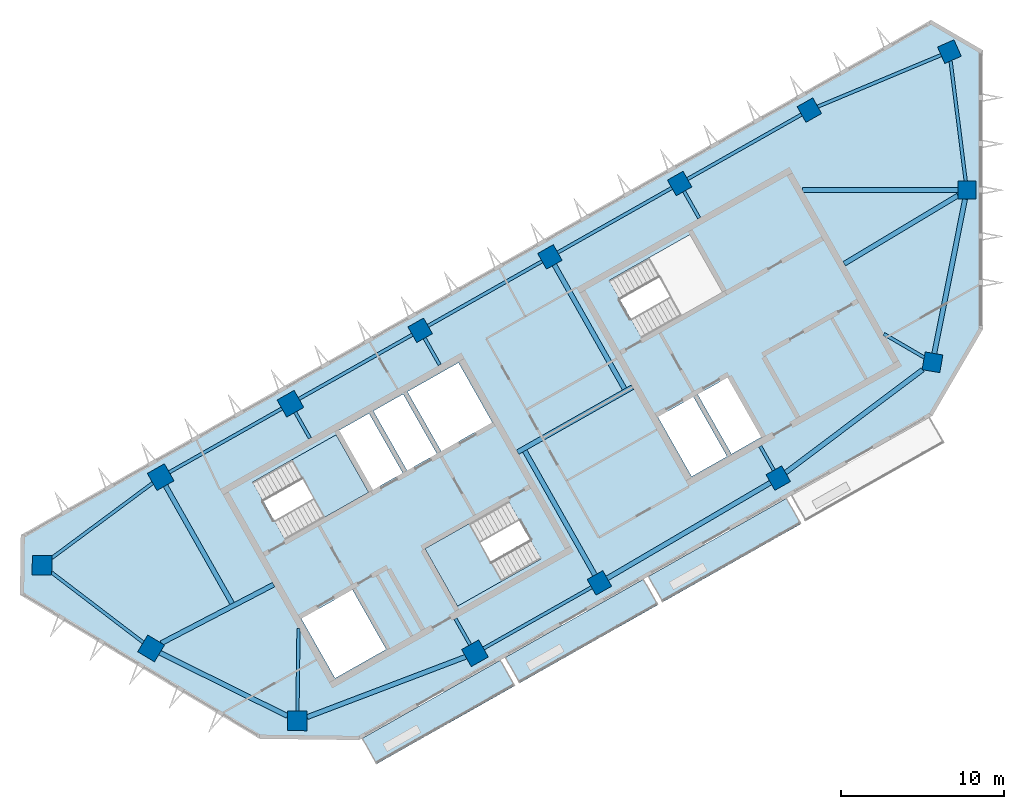
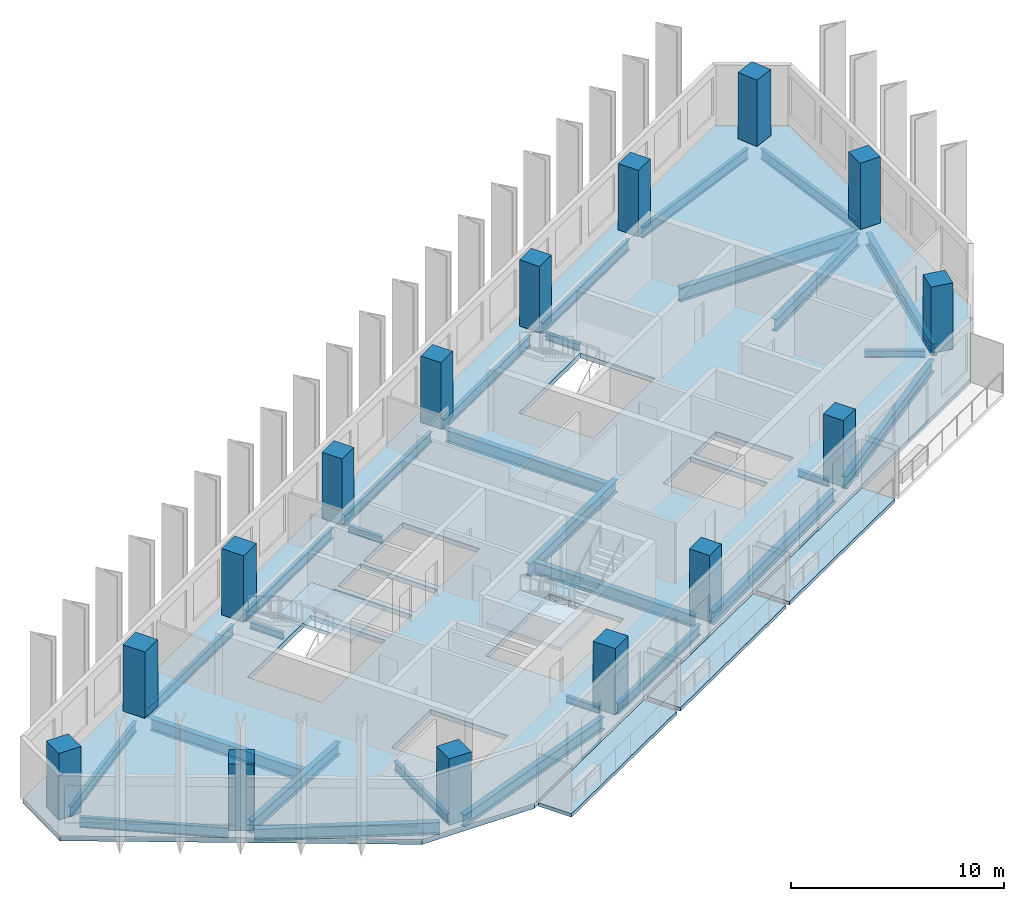
# One storey, part 1 of 8: 29 beams, 15 columns, 6 slabs, 2 elements without a shape of their own.
"""IFC4 building model written with IfcOpenShell, lengths in metres."""

from ifc_helpers import new_model, si_unit, direction, frame, origin, origin_2d, place, context, subcontext, project, spatial, polyline, rectangle, i_section, outline, extrude, material, layer, layer_set, material_profile, profile_set, type_object, element, aggregate, save


model = new_model("IFC4")

# Units and contexts
model_context = context("Model", 3, precision=1e-05, world=origin(), true_north=direction((0.0, 1.0)))
body_context = subcontext(model_context, "Body", "Model", "MODEL_VIEW")
ifc_project = project(units=[si_unit("LENGTHUNIT", "METRE"), si_unit("AREAUNIT", "SQUARE_METRE"), si_unit("VOLUMEUNIT", "CUBIC_METRE"), si_unit("PLANEANGLEUNIT", "RADIAN"), si_unit("MASSUNIT", "GRAM", prefix="KILO")], contexts=[model_context])

# Site, building, storey
site_placement = place(None, origin())
site = spatial("IfcSite", under=ifc_project, at=site_placement, CompositionType="ELEMENT")
building_placement = place(site_placement, origin())
building = spatial("IfcBuilding", under=site, at=building_placement, Name="Binnacle Exchange Tower", CompositionType="ELEMENT")
storey_placement = place(building_placement, frame((0.0, 0.0, 277.89990234375)))
storey = spatial("IfcBuildingStorey", under=building, at=storey_placement, Name="L62", CompositionType="ELEMENT", Elevation=277.89990234375)

# Columns
ifc_material_1 = material(Name="Concrete C60/75", Category="concrete")
ifc_material_profile_1 = material_profile(ifc_material_1, rectangle(XDim=1.10009765625, YDim=1.10009765625, at=origin_2d()), Name="Mega column 1100x1100 C60/75")
ifc_profile_set_1 = profile_set([ifc_material_profile_1], Name="Concrete C60/75")
column_type_1 = type_object("IfcColumnType", Name="Mega column 1100x1100 C60/75", PredefinedType="COLUMN", material=ifc_profile_set_1)
for number, where, z_axis, x_axis, name in (
    (1, (-10.4951171875, 64.901611328125, 0.0), (0.0, 0.0, 1.0), (-0.87035569594, -0.492423560103, 0.0), "S:COL:MC38:L62"),
    (2, (-18.44140625, 60.406005859375, 0.0), (0.0, 0.0, 1.0), (-0.87035569594, -0.492423560103, 0.0), "S:COL:MC29:L62"),
    (3, (-26.3876953125, 55.91015625, 0.0), (0.0, 0.0, 1.0), (-0.87035569594, -0.492423560103, 0.0), "S:COL:MC21:L62"),
    (4, (-34.333740234375, 51.414306640625, 0.0), (0.0, 0.0, 1.0), (-0.87035569594, -0.492423560103, 0.0), "S:COL:MC13:L62"),
    (5, (-23.35595703125, 35.9462890625, 0.0), (0.0, 0.0, 1.0), (0.87035569594, 0.492423560103, 0.0), "S:COL:MC16:L62"),
    (6, (-2.955322265625, 49.45556640625, 0.0), (0.0, 0.0, 1.0), (-0.98522612636, 0.171258517854, 0.0), "S:COL:MC43:L62"),
    (7, (-0.85009765625, 60.0, 0.0), (0.0, 0.0, 1.0), (0.0, 1.0, 0.0), "S:COL:MC45:L62"),
    (8, (-1.920166015625, 68.4833984375, 0.0), (0.0, 0.0, 1.0), (-0.91471298536, -0.40410413808, 0.0), "S:COL:MC44:L62"),
    (9, (-12.39990234375, 42.36328125, 0.0), (0.0, 0.0, 1.0), (0.87035569594, 0.492423560103, 0.0), "S:COL:MC30:L62"),
):
    element("IfcColumn", number, at=place(storey_placement, frame(where, z_axis=z_axis, x_axis=x_axis)), inside=storey, type_object=column_type_1, Name=name, PredefinedType="COLUMN", context=body_context, shape_type="SweptSolid", body=[
        extrude(rectangle(XDim=1.10009765625, YDim=1.10009765625, at=origin_2d()), origin(), (0.0, 0.0, 1.0), 3.800048828125),
    ])
ifc_material_profile_2 = material_profile(ifc_material_1, rectangle(XDim=1.199951171875, YDim=1.199951171875, at=origin_2d()), Name="Mega column 1200x1200 C60/75")
ifc_profile_set_2 = profile_set([ifc_material_profile_2], Name="Concrete C60/75")
column_type_2 = type_object("IfcColumnType", Name="Mega column 1200x1200 C60/75", PredefinedType="COLUMN", material=ifc_profile_set_2)
for number, where, z_axis, x_axis, name in (
    (10, (-42.280029296875, 46.918701171875, 0.0), (0.0, 0.0, 1.0), (-0.87035569594, -0.492423560103, 0.0), "S:COL:MC08:L62"),
    (11, (-50.226318359375, 42.4228515625, 0.0), (0.0, 0.0, 1.0), (-0.87035569594, -0.492423560103, 0.0), "S:COL:MC04:L62"),
    (12, (-57.492919921875, 37.02734375, 0.0), (0.0, 0.0, 1.0), (-0.013089595571, -0.999914327574, 0.0), "S:COL:MC02:L62"),
    (13, (-50.81201171875, 31.930908203125, 0.0), (0.0, 0.0, 1.0), (0.857167300702, -0.51503807491, 0.0), "S:COL:MC01:L62"),
    (14, (-41.857666015625, 27.494873046875, 0.0), (0.0, 0.0, 1.0), (0.999914327574, -0.013089595571, 0.0), "S:COL:MC03:L62"),
    (15, (-30.9755859375, 31.63525390625, 0.0), (0.0, 0.0, 1.0), (0.87035569594, 0.492423560103, 0.0), "S:COL:MC07:L62"),
):
    element("IfcColumn", number, at=place(storey_placement, frame(where, z_axis=z_axis, x_axis=x_axis)), inside=storey, type_object=column_type_2, Name=name, PredefinedType="COLUMN", context=body_context, shape_type="SweptSolid", body=[
        extrude(rectangle(XDim=1.199951171875, YDim=1.199951171875, at=origin_2d()), origin(), (0.0, 0.0, 1.0), 3.800048828125),
    ])

# Beams
ifc_material_2 = material(Name="Steel S355 (SHN355)", Category="steel")
ifc_material_profile_3 = material_profile(ifc_material_2, i_section(OverallWidth=0.199951171875, OverallDepth=0.60009765625, WebThickness=0.010986328125, FlangeThickness=0.01708984375, FilletRadius=0.02197265625, at=origin_2d()), Name="H 600x200x11x17")
ifc_profile_set_3 = profile_set([ifc_material_profile_3], Name="Steel S355 (SHN355)")
beam_type_1 = type_object("IfcBeamType", Name="Edge girder H 600x200x11x17 Steel S355 (SHN355)", PredefinedType="SPANDREL", material=ifc_profile_set_3)
beam_1_placement = place(storey_placement, frame((-56.89892578125, 36.57421875, -0.579833984375), z_axis=(0.795079526259, -0.606505191176, 0.0), x_axis=(0.606505191176, 0.795079526259, 0.0)))
element("IfcBeam", 16, at=beam_1_placement, inside=storey, type_object=beam_type_1, Name="S:BM:edge:L62:004", PredefinedType="SPANDREL", context=body_context, shape_type="SweptSolid", body=[
    extrude(i_section(OverallWidth=0.199951171875, OverallDepth=0.60009765625, WebThickness=0.010986328125, FlangeThickness=0.01708984375, FilletRadius=0.02197265625, at=origin_2d()), origin(), (0.0, 0.0, 1.0), 7.052001953125),
])
ifc_material_profile_4 = material_profile(ifc_material_2, i_section(OverallWidth=0.200927734375, OverallDepth=0.60595703125, WebThickness=0.011962890625, FlangeThickness=0.02001953125, FilletRadius=0.02197265625, at=origin_2d()), Name="H 606x201x12x20")
ifc_profile_set_4 = profile_set([ifc_material_profile_4], Name="Steel S355 (SHN355)")
beam_type_2 = type_object("IfcBeamType", Name="Edge girder H 606x201x12x20 Steel S355 (SHN355)", PredefinedType="SPANDREL", material=ifc_profile_set_4)
beam_2_placement = place(storey_placement, frame((-50.711669921875, 42.0625, -0.5830078125), z_axis=(-0.802889255085, -0.596128211099, 0.0), x_axis=(0.596128211099, -0.802889255085, 0.0)))
element("IfcBeam", 17, at=beam_2_placement, inside=storey, type_object=beam_type_2, Name="S:BM:edge:L62:005", PredefinedType="SPANDREL", context=body_context, shape_type="SweptSolid", body=[
    extrude(i_section(OverallWidth=0.200927734375, OverallDepth=0.60595703125, WebThickness=0.011962890625, FlangeThickness=0.02001953125, FilletRadius=0.02197265625, at=origin_2d()), origin(), (0.0, 0.0, 1.0), 7.691650390625),
])
beam_3_placement = place(storey_placement, frame((-30.453369140625, 31.930908203125, -0.5830078125), z_axis=(0.870370831478, 0.49239680717, 0.0), x_axis=(-0.49239680717, 0.870370831478, 0.0)))
element("IfcBeam", 18, at=beam_3_placement, inside=storey, type_object=beam_type_2, Name="S:BM:edge:L62:010", PredefinedType="SPANDREL", context=body_context, shape_type="SweptSolid", body=[
    extrude(i_section(OverallWidth=0.200927734375, OverallDepth=0.60595703125, WebThickness=0.011962890625, FlangeThickness=0.02001953125, FilletRadius=0.02197265625, at=origin_2d()), origin(), (0.0, 0.0, 1.0), 7.6044921875),
])
beam_4_placement = place(storey_placement, frame((-0.91943359375, 60.550048828125, -0.5830078125), z_axis=(-0.125160121745, 0.992136555079, 0.0), x_axis=(-0.992136555079, -0.125160121745, 0.0)))
element("IfcBeam", 19, at=beam_4_placement, inside=storey, type_object=beam_type_2, Name="S:BM:edge:L62:018", PredefinedType="SPANDREL", context=body_context, shape_type="SweptSolid", body=[
    extrude(i_section(OverallWidth=0.200927734375, OverallDepth=0.60595703125, WebThickness=0.011962890625, FlangeThickness=0.02001953125, FilletRadius=0.02197265625, at=origin_2d()), origin(), (0.0, 0.0, 1.0), 7.422119140625),
])
ifc_material_profile_5 = material_profile(ifc_material_2, i_section(OverallWidth=0.201904296875, OverallDepth=0.612060546875, WebThickness=0.012939453125, FlangeThickness=0.02294921875, FilletRadius=0.02197265625, at=origin_2d()), Name="H 612x202x13x23")
ifc_profile_set_5 = profile_set([ifc_material_profile_5], Name="Steel S355 (SHN355)")
beam_type_3 = type_object("IfcBeamType", Name="Edge girder H 612x202x13x23 Steel S355 (SHN355)", PredefinedType="SPANDREL", material=ifc_profile_set_5)
beam_5_placement = place(storey_placement, frame((-42.80224609375, 46.623291015625, -0.5859375), z_axis=(-0.870360926906, -0.492414314288, 0.0), x_axis=(0.492414314288, -0.870360926906, 0.0)))
element("IfcBeam", 20, at=beam_5_placement, inside=storey, type_object=beam_type_3, Name="S:BM:edge:L62:007", PredefinedType="SPANDREL", context=body_context, shape_type="SweptSolid", body=[
    extrude(i_section(OverallWidth=0.201904296875, OverallDepth=0.612060546875, WebThickness=0.012939453125, FlangeThickness=0.02294921875, FilletRadius=0.02197265625, at=origin_2d()), origin(), (0.0, 0.0, 1.0), 7.929931640625),
])
beam_6_placement = place(storey_placement, frame((-34.8125, 51.1435546875, -0.5859375), z_axis=(-0.870357059543, -0.492421149935, 0.0), x_axis=(0.492421149935, -0.870357059543, 0.0)))
element("IfcBeam", 21, at=beam_6_placement, inside=storey, type_object=beam_type_3, Name="S:BM:edge:L62:009", PredefinedType="SPANDREL", context=body_context, shape_type="SweptSolid", body=[
    extrude(i_section(OverallWidth=0.201904296875, OverallDepth=0.612060546875, WebThickness=0.012939453125, FlangeThickness=0.02294921875, FilletRadius=0.02197265625, at=origin_2d()), origin(), (0.0, 0.0, 1.0), 7.979736328125),
])
beam_7_placement = place(storey_placement, frame((-26.8662109375, 55.639404296875, -0.5859375), z_axis=(-0.870353240257, -0.492427900482, 0.0), x_axis=(0.492427900482, -0.870353240257, 0.0)))
element("IfcBeam", 22, at=beam_7_placement, inside=storey, type_object=beam_type_3, Name="S:BM:edge:L62:011", PredefinedType="SPANDREL", context=body_context, shape_type="SweptSolid", body=[
    extrude(i_section(OverallWidth=0.201904296875, OverallDepth=0.612060546875, WebThickness=0.012939453125, FlangeThickness=0.02294921875, FilletRadius=0.02197265625, at=origin_2d()), origin(), (0.0, 0.0, 1.0), 8.02978515625),
])
beam_8_placement = place(storey_placement, frame((-18.919921875, 60.13525390625, -0.5859375), z_axis=(-0.870347582166, -0.492437900875, 0.0), x_axis=(0.492437900875, -0.870347582166, 0.0)))
element("IfcBeam", 23, at=beam_8_placement, inside=storey, type_object=beam_type_3, Name="S:BM:edge:L62:013", PredefinedType="SPANDREL", context=body_context, shape_type="SweptSolid", body=[
    extrude(i_section(OverallWidth=0.201904296875, OverallDepth=0.612060546875, WebThickness=0.012939453125, FlangeThickness=0.02294921875, FilletRadius=0.02197265625, at=origin_2d()), origin(), (0.0, 0.0, 1.0), 8.030029296875),
])
beam_9_placement = place(storey_placement, frame((-10.973876953125, 64.630859375, -0.5859375), z_axis=(-0.870353240257, -0.492427900482, 0.0), x_axis=(0.492427900482, -0.870353240257, 0.0)))
element("IfcBeam", 24, at=beam_9_placement, inside=storey, type_object=beam_type_3, Name="S:BM:edge:L62:015", PredefinedType="SPANDREL", context=body_context, shape_type="SweptSolid", body=[
    extrude(i_section(OverallWidth=0.201904296875, OverallDepth=0.612060546875, WebThickness=0.012939453125, FlangeThickness=0.02294921875, FilletRadius=0.02197265625, at=origin_2d()), origin(), (0.0, 0.0, 1.0), 8.02978515625),
])
beam_10_placement = place(storey_placement, frame((-2.427734375, 68.271240234375, -0.5859375), z_axis=(-0.922746687756, -0.385406992977, 0.0), x_axis=(0.385406992977, -0.922746687756, 0.0)))
element("IfcBeam", 25, at=beam_10_placement, inside=storey, type_object=beam_type_3, Name="S:BM:edge:L62:017", PredefinedType="SPANDREL", context=body_context, shape_type="SweptSolid", body=[
    extrude(i_section(OverallWidth=0.201904296875, OverallDepth=0.612060546875, WebThickness=0.012939453125, FlangeThickness=0.02294921875, FilletRadius=0.02197265625, at=origin_2d()), origin(), (0.0, 0.0, 1.0), 8.188720703125),
])
ifc_material_profile_6 = material_profile(ifc_material_2, i_section(OverallWidth=0.300048828125, OverallDepth=0.699951171875, WebThickness=0.012939453125, FlangeThickness=0.02392578125, FilletRadius=0.028076171875, at=origin_2d()), Name="H 700x300x13x24")
ifc_profile_set_6 = profile_set([ifc_material_profile_6], Name="Steel S355 (SHN355)")
beam_type_4 = type_object("IfcBeamType", Name="Edge girder H 700x300x13x24 Steel S355 (SHN355)", PredefinedType="SPANDREL", material=ifc_profile_set_6)
beam_11_placement = place(storey_placement, frame((-50.272705078125, 31.663818359375, -0.6298828125), z_axis=(0.896066323919, -0.443920199066, 0.0), x_axis=(0.443920199066, 0.896066323919, 0.0)))
element("IfcBeam", 26, at=beam_11_placement, inside=storey, type_object=beam_type_4, Name="S:BM:edge:L62:006", PredefinedType="SPANDREL", context=body_context, shape_type="SweptSolid", body=[
    extrude(i_section(OverallWidth=0.300048828125, OverallDepth=0.699951171875, WebThickness=0.012939453125, FlangeThickness=0.02392578125, FilletRadius=0.028076171875, at=origin_2d()), origin(), (0.0, 0.0, 1.0), 8.725830078125),
])
beam_12_placement = place(storey_placement, frame((-41.254638671875, 27.724365234375, -0.6298828125), z_axis=(0.934635421438, 0.355607408519, 0.0), x_axis=(-0.355607408519, 0.934635421438, 0.0)))
element("IfcBeam", 27, at=beam_12_placement, inside=storey, type_object=beam_type_4, Name="S:BM:edge:L62:008", PredefinedType="SPANDREL", context=body_context, shape_type="SweptSolid", body=[
    extrude(i_section(OverallWidth=0.300048828125, OverallDepth=0.699951171875, WebThickness=0.012939453125, FlangeThickness=0.02392578125, FilletRadius=0.028076171875, at=origin_2d()), origin(), (0.0, 0.0, 1.0), 10.390869140625),
])
beam_13_placement = place(storey_placement, frame((-11.95654296875, 42.6962890625, -0.6298828125), z_axis=(0.799642767002, 0.600476015493, 0.0), x_axis=(-0.600476015493, 0.799642767002, 0.0)))
element("IfcBeam", 28, at=beam_13_placement, inside=storey, type_object=beam_type_4, Name="S:BM:edge:L62:014", PredefinedType="SPANDREL", context=body_context, shape_type="SweptSolid", body=[
    extrude(i_section(OverallWidth=0.300048828125, OverallDepth=0.699951171875, WebThickness=0.012939453125, FlangeThickness=0.02392578125, FilletRadius=0.028076171875, at=origin_2d()), origin(), (0.0, 0.0, 1.0), 10.50146484375),
])
beam_14_placement = place(storey_placement, frame((-2.84765625, 49.9951171875, -0.6298828125), z_axis=(0.195814210945, 0.980641012191, 0.0), x_axis=(-0.980641012191, 0.195814210945, 0.0)))
element("IfcBeam", 29, at=beam_14_placement, inside=storey, type_object=beam_type_4, Name="S:BM:edge:L62:016", PredefinedType="SPANDREL", context=body_context, shape_type="SweptSolid", body=[
    extrude(i_section(OverallWidth=0.300048828125, OverallDepth=0.699951171875, WebThickness=0.012939453125, FlangeThickness=0.02392578125, FilletRadius=0.028076171875, at=origin_2d()), origin(), (0.0, 0.0, 1.0), 9.6416015625),
])
ifc_material_profile_7 = material_profile(ifc_material_2, i_section(OverallWidth=0.302001953125, OverallDepth=0.7080078125, WebThickness=0.014892578125, FlangeThickness=0.028076171875, FilletRadius=0.028076171875, at=origin_2d()), Name="H 708x302x15x28")
ifc_profile_set_7 = profile_set([ifc_material_profile_7], Name="Steel S355 (SHN355)")
beam_type_5 = type_object("IfcBeamType", Name="Edge girder H 708x302x15x28 Steel S355 (SHN355)", PredefinedType="SPANDREL", material=ifc_profile_set_7)
beam_15_placement = place(storey_placement, frame((-22.88134765625, 36.22412109375, -0.6337890625), z_axis=(0.86288572191, 0.50539908085, 0.0), x_axis=(-0.50539908085, 0.86288572191, 0.0)))
element("IfcBeam", 30, at=beam_15_placement, inside=storey, type_object=beam_type_5, Name="S:BM:edge:L62:012", PredefinedType="SPANDREL", context=body_context, shape_type="SweptSolid", body=[
    extrude(i_section(OverallWidth=0.302001953125, OverallDepth=0.7080078125, WebThickness=0.014892578125, FlangeThickness=0.028076171875, FilletRadius=0.028076171875, at=origin_2d()), origin(), (0.0, 0.0, 1.0), 11.596923828125),
])
ifc_material_profile_8 = material_profile(ifc_material_2, i_section(OverallWidth=0.199951171875, OverallDepth=0.39990234375, WebThickness=0.008056640625, FlangeThickness=0.012939453125, FilletRadius=0.01611328125, at=origin_2d()), Name="H 400x200x8x13")
ifc_profile_set_8 = profile_set([ifc_material_profile_8], Name="Steel S355 (SHN355)")
beam_type_6 = type_object("IfcBeamType", Name="Floor beam H 400x200x8x13 Steel S355 (SHN355)", PredefinedType="BEAM", material=ifc_profile_set_8)
beam_16_placement = place(storey_placement, frame((-41.984619140625, 46.396484375, -0.47998046875), z_axis=(0.492465079532, -0.87033220407, 0.0), x_axis=(0.87033220407, 0.492465079532, 0.0)))
element("IfcBeam", 31, at=beam_16_placement, inside=storey, type_object=beam_type_6, Name="S:BM:cross:L62:020", PredefinedType="BEAM", context=body_context, shape_type="SweptSolid", body=[
    extrude(i_section(OverallWidth=0.199951171875, OverallDepth=0.39990234375, WebThickness=0.008056640625, FlangeThickness=0.012939453125, FilletRadius=0.01611328125, at=origin_2d()), origin(), (0.0, 0.0, 1.0), 1.834228515625),
])
beam_17_placement = place(storey_placement, frame((-34.06298828125, 50.935791015625, -0.47998046875), z_axis=(0.492437150105, -0.870348006947, 0.0), x_axis=(0.870348006947, 0.492437150105, 0.0)))
element("IfcBeam", 32, at=beam_17_placement, inside=storey, type_object=beam_type_6, Name="S:BM:cross:L62:022", PredefinedType="BEAM", context=body_context, shape_type="SweptSolid", body=[
    extrude(i_section(OverallWidth=0.199951171875, OverallDepth=0.39990234375, WebThickness=0.008056640625, FlangeThickness=0.012939453125, FilletRadius=0.01611328125, at=origin_2d()), origin(), (0.0, 0.0, 1.0), 1.884521484375),
])
beam_18_placement = place(storey_placement, frame((-31.27099609375, 32.157470703125, -0.47998046875), z_axis=(-0.492465079532, 0.87033220407, 0.0), x_axis=(-0.87033220407, -0.492465079532, 0.0)))
element("IfcBeam", 33, at=beam_18_placement, inside=storey, type_object=beam_type_6, Name="S:BM:cross:L62:023", PredefinedType="BEAM", context=body_context, shape_type="SweptSolid", body=[
    extrude(i_section(OverallWidth=0.199951171875, OverallDepth=0.39990234375, WebThickness=0.008056640625, FlangeThickness=0.012939453125, FilletRadius=0.01611328125, at=origin_2d()), origin(), (0.0, 0.0, 1.0), 1.834228515625),
])
beam_19_placement = place(storey_placement, frame((-18.17041015625, 59.92724609375, -0.47998046875), z_axis=(0.492394529663, -0.870372119934, 0.0), x_axis=(0.870372119934, 0.492394529663, 0.0)))
element("IfcBeam", 34, at=beam_19_placement, inside=storey, type_object=beam_type_6, Name="S:BM:cross:L62:026", PredefinedType="BEAM", context=body_context, shape_type="SweptSolid", body=[
    extrude(i_section(OverallWidth=0.199951171875, OverallDepth=0.39990234375, WebThickness=0.008056640625, FlangeThickness=0.012939453125, FilletRadius=0.01611328125, at=origin_2d()), origin(), (0.0, 0.0, 1.0), 1.884033203125),
])
beam_20_placement = place(storey_placement, frame((-12.6708984375, 42.841796875, -0.47998046875), z_axis=(-0.492394350893, 0.870372221069, 0.0), x_axis=(-0.870372221069, -0.492394350893, 0.0)))
element("IfcBeam", 35, at=beam_20_placement, inside=storey, type_object=beam_type_6, Name="S:BM:cross:L62:027", PredefinedType="BEAM", context=body_context, shape_type="SweptSolid", body=[
    extrude(i_section(OverallWidth=0.199951171875, OverallDepth=0.39990234375, WebThickness=0.008056640625, FlangeThickness=0.012939453125, FilletRadius=0.01611328125, at=origin_2d()), origin(), (0.0, 0.0, 1.0), 1.6943359375),
])
beam_21_placement = place(storey_placement, frame((-3.46240234375, 49.751220703125, -0.47998046875), z_axis=(-0.863840862356, 0.503764790874, 0.0), x_axis=(-0.503764790874, -0.863840862356, 0.0)))
element("IfcBeam", 36, at=beam_21_placement, inside=storey, type_object=beam_type_6, Name="S:BM:cross:L62:028", PredefinedType="BEAM", context=body_context, shape_type="SweptSolid", body=[
    extrude(i_section(OverallWidth=0.199951171875, OverallDepth=0.39990234375, WebThickness=0.008056640625, FlangeThickness=0.012939453125, FilletRadius=0.01611328125, at=origin_2d()), origin(), (0.0, 0.0, 1.0), 2.85791015625),
])
ifc_material_profile_9 = material_profile(ifc_material_2, i_section(OverallWidth=0.200927734375, OverallDepth=0.506103515625, WebThickness=0.010986328125, FlangeThickness=0.01904296875, FilletRadius=0.02001953125, at=origin_2d()), Name="H 506x201x11x19")
ifc_profile_set_9 = profile_set([ifc_material_profile_9], Name="Steel S355 (SHN355)")
beam_type_7 = type_object("IfcBeamType", Name="Floor beam H 506x201x11x19 Steel S355 (SHN355)", PredefinedType="BEAM", material=ifc_profile_set_9)
beam_22_placement = place(storey_placement, frame((-41.849853515625, 28.0947265625, -0.532958984375), z_axis=(0.013099523714, 0.999914197558, 0.0), x_axis=(-0.999914197558, 0.013099523714, 0.0)))
element("IfcBeam", 37, at=beam_22_placement, inside=storey, type_object=beam_type_7, Name="S:BM:cross:L62:021", PredefinedType="BEAM", context=body_context, shape_type="SweptSolid", body=[
    extrude(i_section(OverallWidth=0.200927734375, OverallDepth=0.506103515625, WebThickness=0.010986328125, FlangeThickness=0.01904296875, FilletRadius=0.02001953125, at=origin_2d()), origin(), (0.0, 0.0, 1.0), 5.05078125),
])
ifc_material_profile_10 = material_profile(ifc_material_2, i_section(OverallWidth=0.300048828125, OverallDepth=0.699951171875, WebThickness=0.012939453125, FlangeThickness=0.02392578125, FilletRadius=0.028076171875, at=origin_2d()), Name="H 700x300x13x24")
ifc_profile_set_10 = profile_set([ifc_material_profile_10], Name="Steel S355 (SHN355)")
beam_type_8 = type_object("IfcBeamType", Name="Floor beam H 700x300x13x24 Steel S355 (SHN355)", PredefinedType="BEAM", material=ifc_profile_set_10)
beam_23_placement = place(storey_placement, frame((-49.9306640625, 41.900634765625, -0.6298828125), z_axis=(0.492421066821, -0.870357106566, 0.0), x_axis=(0.870357106566, 0.492421066821, 0.0)))
element("IfcBeam", 38, at=beam_23_placement, inside=storey, type_object=beam_type_8, Name="S:BM:cross:L62:019", PredefinedType="BEAM", context=body_context, shape_type="SweptSolid", body=[
    extrude(i_section(OverallWidth=0.300048828125, OverallDepth=0.699951171875, WebThickness=0.012939453125, FlangeThickness=0.02392578125, FilletRadius=0.028076171875, at=origin_2d()), origin(), (0.0, 0.0, 1.0), 8.291259765625),
])
ifc_material_profile_11 = material_profile(ifc_material_2, i_section(OverallWidth=0.302001953125, OverallDepth=0.7080078125, WebThickness=0.014892578125, FlangeThickness=0.028076171875, FilletRadius=0.028076171875, at=origin_2d()), Name="H 708x302x15x28")
ifc_profile_set_11 = profile_set([ifc_material_profile_11], Name="Steel S355 (SHN355)")
beam_type_9 = type_object("IfcBeamType", Name="Floor beam H 708x302x15x28 Steel S355 (SHN355)", PredefinedType="BEAM", material=ifc_profile_set_11)
beam_24_placement = place(storey_placement, frame((-26.11669921875, 55.431396484375, -0.6337890625), z_axis=(0.492413671625, -0.870361290497, 0.0), x_axis=(0.870361290497, 0.492413671625, 0.0)))
element("IfcBeam", 39, at=beam_24_placement, inside=storey, type_object=beam_type_9, Name="S:BM:cross:L62:024", PredefinedType="BEAM", context=body_context, shape_type="SweptSolid", body=[
    extrude(i_section(OverallWidth=0.302001953125, OverallDepth=0.7080078125, WebThickness=0.014892578125, FlangeThickness=0.028076171875, FilletRadius=0.028076171875, at=origin_2d()), origin(), (0.0, 0.0, 1.0), 8.734130859375),
])
beam_25_placement = place(storey_placement, frame((-23.626708984375, 36.4248046875, -0.6337890625), z_axis=(-0.492422866295, 0.870356088477, 0.0), x_axis=(-0.870356088477, -0.492422866295, 0.0)))
element("IfcBeam", 40, at=beam_25_placement, inside=storey, type_object=beam_type_9, Name="S:BM:cross:L62:025", PredefinedType="BEAM", context=body_context, shape_type="SweptSolid", body=[
    extrude(i_section(OverallWidth=0.302001953125, OverallDepth=0.7080078125, WebThickness=0.014892578125, FlangeThickness=0.028076171875, FilletRadius=0.028076171875, at=origin_2d()), origin(), (0.0, 0.0, 1.0), 8.734375),
])
ifc_material_profile_12 = material_profile(ifc_material_2, i_section(OverallWidth=0.300048828125, OverallDepth=0.800048828125, WebThickness=0.013916015625, FlangeThickness=0.02587890625, FilletRadius=0.028076171875, at=origin_2d()), Name="H 800x300x14x26")
ifc_profile_set_12 = profile_set([ifc_material_profile_12], Name="Steel S355 (SHN355)")
beam_type_10 = type_object("IfcBeamType", Name="Floor beam H 800x300x14x26 Steel S355 (SHN355)", PredefinedType="BEAM", material=ifc_profile_set_12)
beam_26_placement = place(storey_placement, frame((-1.39990234375, 60.0, -0.679931640625), z_axis=(-1.0, 0.0, 0.0), x_axis=(0.0, -1.0, 0.0)))
element("IfcBeam", 41, at=beam_26_placement, inside=storey, type_object=beam_type_10, Name="S:BM:cross:L62:029", PredefinedType="BEAM", context=body_context, shape_type="SweptSolid", body=[
    extrude(i_section(OverallWidth=0.300048828125, OverallDepth=0.800048828125, WebThickness=0.013916015625, FlangeThickness=0.02587890625, FilletRadius=0.028076171875, at=origin_2d()), origin(), (0.0, 0.0, 1.0), 9.51513671875),
])
ifc_material_profile_13 = material_profile(ifc_material_2, i_section(OverallWidth=0.300048828125, OverallDepth=0.699951171875, WebThickness=0.012939453125, FlangeThickness=0.02392578125, FilletRadius=0.028076171875, at=origin_2d()), Name="H 700x300x13x24")
ifc_profile_set_13 = profile_set([ifc_material_profile_13], Name="Steel S355 (SHN355)")
beam_type_11 = type_object("IfcBeamType", Name="Spine girder H 700x300x13x24 Steel S355 (SHN355)", PredefinedType="BEAM", material=ifc_profile_set_13)
beam_27_placement = place(storey_placement, frame((-50.18798828125, 32.255859375, -0.6298828125), z_axis=(0.886980159322, 0.461807532387, 0.0), x_axis=(-0.461807532387, 0.886980159322, 0.0)))
element("IfcBeam", 42, at=beam_27_placement, inside=storey, type_object=beam_type_11, Name="S:BM:spine:L62:001", PredefinedType="BEAM", context=body_context, shape_type="SweptSolid", body=[
    extrude(i_section(OverallWidth=0.300048828125, OverallDepth=0.699951171875, WebThickness=0.012939453125, FlangeThickness=0.02392578125, FilletRadius=0.028076171875, at=origin_2d()), origin(), (0.0, 0.0, 1.0), 7.757080078125),
])
beam_28_placement = place(storey_placement, frame((-8.36328125, 55.489990234375, -0.6298828125), z_axis=(0.857389464427, 0.514668151618, 0.0), x_axis=(-0.514668151618, 0.857389464427, 0.0)))
element("IfcBeam", 43, at=beam_28_placement, inside=storey, type_object=beam_type_11, Name="S:BM:spine:L62:003", PredefinedType="BEAM", context=body_context, shape_type="SweptSolid", body=[
    extrude(i_section(OverallWidth=0.300048828125, OverallDepth=0.699951171875, WebThickness=0.012939453125, FlangeThickness=0.02392578125, FilletRadius=0.028076171875, at=origin_2d()), origin(), (0.0, 0.0, 1.0), 8.12158203125),
])
ifc_material_profile_14 = material_profile(ifc_material_2, i_section(OverallWidth=0.302001953125, OverallDepth=0.7080078125, WebThickness=0.014892578125, FlangeThickness=0.028076171875, FilletRadius=0.028076171875, at=origin_2d()), Name="H 708x302x15x28")
ifc_profile_set_14 = profile_set([ifc_material_profile_14], Name="Steel S355 (SHN355)")
beam_type_12 = type_object("IfcBeamType", Name="Spine girder H 708x302x15x28 Steel S355 (SHN355)", PredefinedType="BEAM", material=ifc_profile_set_14)
beam_29_placement = place(storey_placement, frame((-28.365478515625, 43.951416015625, -0.6337890625), z_axis=(0.870350319004, 0.492433063684, 0.0), x_axis=(-0.492433063684, 0.870350319004, 0.0)))
element("IfcBeam", 44, at=beam_29_placement, inside=storey, type_object=beam_type_12, Name="S:BM:spine:L62:002", PredefinedType="BEAM", context=body_context, shape_type="SweptSolid", body=[
    extrude(i_section(OverallWidth=0.302001953125, OverallDepth=0.7080078125, WebThickness=0.014892578125, FlangeThickness=0.028076171875, FilletRadius=0.028076171875, at=origin_2d()), origin(), (0.0, 0.0, 1.0), 8.0908203125),
])

# Slabs
ifc_material_3 = material(Name="Concrete C35/45", Category="concrete")
ifc_layer_1 = layer(ifc_material_3, 0.199951171875)
ifc_layer_set_1 = layer_set([ifc_layer_1], Name="BALCONY SLAB 200")
slab_type_1 = type_object("IfcSlabType", Name="BALCONY SLAB 200", PredefinedType="FLOOR", material=ifc_layer_set_1)
slab_1_placement = place(storey_placement, frame((0.0, 0.0, -0.199951171875)))
element("IfcSlab", 45, at=slab_1_placement, inside=storey, type_object=slab_type_1, Name="Balcony BA-H07-00 L62", PredefinedType="FLOOR", context=body_context, shape_type="SweptSolid", body=[
    extrude(outline(polyline([(-37.90576171875, 26.410400390625), (-29.40380859375, 31.220458984375), (-28.517578125, 29.65380859375), (-37.019287109375, 24.84375), (-37.90576171875, 26.410400390625)])), origin(), (0.0, 0.0, 1.0), 0.199951171875),
])
slab_2_placement = place(storey_placement, frame((0.0, 0.0, -0.199951171875)))
element("IfcSlab", 46, at=slab_2_placement, inside=storey, type_object=slab_type_1, Name="Balcony BA-H07-01 L62", PredefinedType="FLOOR", context=body_context, shape_type="SweptSolid", body=[
    extrude(outline(polyline([(-29.142822265625, 31.3681640625), (-20.64111328125, 36.17822265625), (-19.754638671875, 34.611572265625), (-28.25634765625, 29.801513671875), (-29.142822265625, 31.3681640625)])), origin(), (0.0, 0.0, 1.0), 0.199951171875),
])
slab_3_placement = place(storey_placement, frame((0.0, 0.0, -0.199951171875)))
element("IfcSlab", 47, at=slab_3_placement, inside=storey, type_object=slab_type_1, Name="Balcony BA-H07-02 L62", PredefinedType="FLOOR", context=body_context, shape_type="SweptSolid", body=[
    extrude(outline(polyline([(-20.3798828125, 36.325927734375), (-11.878173828125, 41.135986328125), (-10.99169921875, 39.5693359375), (-19.493408203125, 34.759521484375), (-20.3798828125, 36.325927734375)])), origin(), (0.0, 0.0, 1.0), 0.199951171875),
])
ifc_layer_2 = layer(ifc_material_3, 0.280029296875)
ifc_layer_set_2 = layer_set([ifc_layer_2], Name="Floor slab 280 Concrete C35/45")
slab_type_2 = type_object("IfcSlabType", Name="Floor slab 280 Concrete C35/45", PredefinedType="FLOOR", material=ifc_layer_set_2)
slab_4_placement = place(storey_placement, frame((0.0, 0.0, -0.27978515625)))
element("IfcSlab", 48, at=slab_4_placement, inside=storey, type_object=slab_type_2, Name="S:SL:L62:01", PredefinedType="FLOOR", context=body_context, shape_type="SweptSolid", body=[
    extrude(outline(polyline([(-38.097900390625, 26.4453125), (-44.14404296875, 26.5244140625), (-58.716064453125, 35.280029296875), (-58.669921875, 38.80615234375), (-3.046142578125, 70.276611328125), (0.0, 68.5), (0.0, 51.5), (-3.046142578125, 46.276611328125), (-38.097900390625, 26.4453125)]), holes=[polyline([(-38.4794921875, 35.529296875), (-41.61279296875, 33.756591796875), (-39.544677734375, 30.10107421875), (-36.411376953125, 31.873779296875), (-38.4794921875, 35.529296875)]), polyline([(-32.04638671875, 34.515625), (-26.9287109375, 37.4111328125), (-28.923095703125, 40.93603515625), (-34.040771484375, 38.04052734375), (-32.04638671875, 34.515625)]), polyline([(-39.480712890625, 45.01611328125), (-44.598388671875, 42.12060546875), (-42.604248046875, 38.595703125), (-37.486572265625, 41.4912109375), (-39.480712890625, 45.01611328125)]), polyline([(-37.4658203125, 46.32861328125), (-39.293701171875, 45.29443359375), (-37.225341796875, 41.638916015625), (-35.397705078125, 42.673095703125), (-37.4658203125, 46.32861328125)]), polyline([(-17.598876953125, 47.343017578125), (-19.77490234375, 46.11181640625), (-17.70654296875, 42.456298828125), (-15.53076171875, 43.6875), (-17.598876953125, 47.343017578125)]), polyline([(-35.376953125, 47.51025390625), (-37.20458984375, 46.476318359375), (-35.136474609375, 42.82080078125), (-33.308837890625, 43.854736328125), (-35.376953125, 47.51025390625)]), polyline([(-15.510009765625, 48.52490234375), (-17.337890625, 47.49072265625), (-15.26953125, 43.835205078125), (-13.44189453125, 44.869384765625), (-15.510009765625, 48.52490234375)]), polyline([(-29.914306640625, 45.775390625), (-31.982666015625, 49.430908203125), (-35.115966796875, 47.657958984375), (-33.047607421875, 44.00244140625), (-29.914306640625, 45.775390625)]), polyline([(-15.822509765625, 53.748046875), (-17.81689453125, 57.27294921875), (-22.760498046875, 54.47607421875), (-20.76611328125, 50.950927734375), (-15.822509765625, 53.748046875)])]), origin(), (0.0, 0.0, 1.0), 0.27978515625),
])

# Stair, slab
stair_type = type_object("IfcStairType", Name="STAIR 22 RISERS 173", PredefinedType="HALF_TURN_STAIR", material=ifc_material_3)
stair_1_placement = place(storey_placement, origin())
stair_1 = element("IfcStair", 49, at=stair_1_placement, inside=storey, type_object=stair_type, Name="L62 Escape stair A1", PredefinedType="HALF_TURN_STAIR")
ifc_layer_3 = layer(ifc_material_3, 0.199951171875)
ifc_layer_set_3 = layer_set([ifc_layer_3], Name="STAIR LANDING 200")
slab_type_3 = type_object("IfcSlabType", Name="STAIR LANDING 200", PredefinedType="LANDING", material=ifc_layer_set_3)
slab_5_placement = place(storey_placement, frame((0.0, 0.0, 1.7001953125)))
slab_5 = element("IfcSlab", 50, at=slab_5_placement, type_object=slab_type_3, Name="STA1 landing 1", PredefinedType="LANDING", context=body_context, shape_type="SweptSolid", body=[
    extrude(outline(polyline([(-40.2021484375, 39.954833984375), (-37.486572265625, 41.4912109375), (-39.48095703125, 45.01611328125), (-42.1962890625, 43.479736328125), (-40.2021484375, 39.954833984375)])), origin(), (0.0, 0.0, 1.0), 0.199951171875),
])
aggregate(stair_1, [slab_5])

stair_2_placement = place(storey_placement, origin())
stair_2 = element("IfcStair", 51, at=stair_2_placement, inside=storey, type_object=stair_type, Name="L62 Escape stair A2", PredefinedType="HALF_TURN_STAIR")
slab_6_placement = place(storey_placement, frame((0.0, 0.0, 1.7001953125)))
slab_6 = element("IfcSlab", 52, at=slab_6_placement, type_object=slab_type_3, Name="STA2 landing 1", PredefinedType="LANDING", context=body_context, shape_type="SweptSolid", body=[
    extrude(outline(polyline([(-31.3251953125, 39.576904296875), (-34.040771484375, 38.04052734375), (-32.04638671875, 34.515625), (-29.330810546875, 36.052001953125), (-31.3251953125, 39.576904296875)])), origin(), (0.0, 0.0, 1.0), 0.199951171875),
])
aggregate(stair_2, [slab_6])

save(model, "model.ifc")
